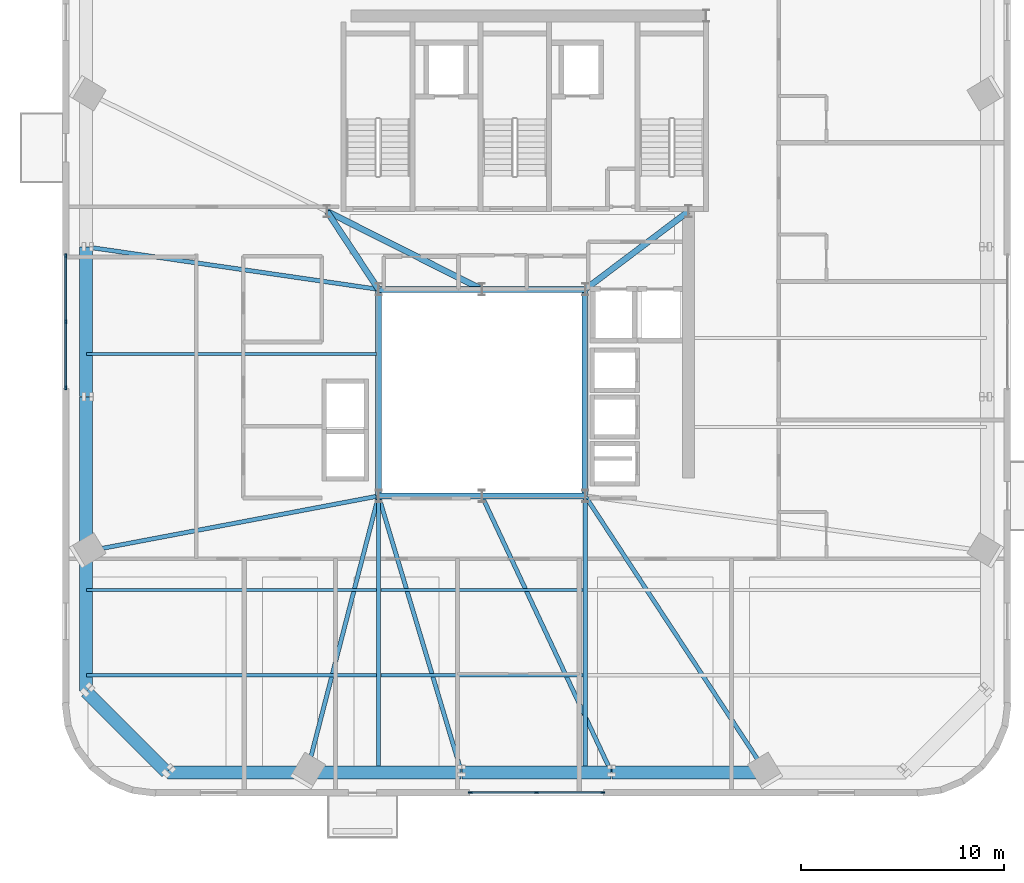
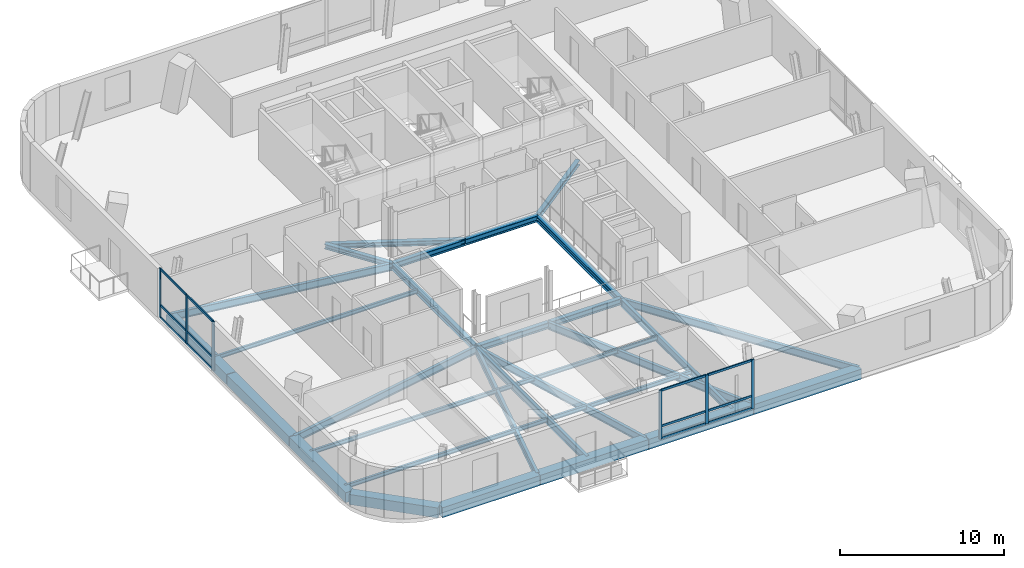
# One storey, part 3 of 12: 30 beams, 18 members, 2 elements without a shape of their own.
"""IFC4 building model written with IfcOpenShell, lengths in metres."""

from ifc_helpers import new_model, si_unit, direction, frame, origin, origin_2d, place, context, subcontext, project, spatial, rectangle, i_section, extrude, source, transform, mapped, material, material_profile, profile_set, type_object, element, aggregate, save


model = new_model("IFC4")

# Units and contexts
model_context = context("Model", 3, precision=1e-05, world=origin(), true_north=direction((0.0, 1.0)))
body_context = subcontext(model_context, "Body", "Model", "MODEL_VIEW")
ifc_project = project(units=[si_unit("LENGTHUNIT", "METRE"), si_unit("AREAUNIT", "SQUARE_METRE"), si_unit("VOLUMEUNIT", "CUBIC_METRE"), si_unit("PLANEANGLEUNIT", "RADIAN"), si_unit("MASSUNIT", "GRAM", prefix="KILO")], contexts=[model_context])

# Site, building, storey
site_placement = place(None, origin())
site = spatial("IfcSite", under=ifc_project, at=site_placement, CompositionType="ELEMENT")
building_placement = place(site_placement, origin())
building = spatial("IfcBuilding", under=site, at=building_placement, Name="Vardaveli Station Tower", CompositionType="ELEMENT")
storey_placement = place(building_placement, frame((0.0, 0.0, 254.550048828125)))
storey = spatial("IfcBuildingStorey", under=building, at=storey_placement, Name="L65", CompositionType="ELEMENT", Elevation=254.550048828125)

# Beams
ifc_material_1 = material(Name="Structural steel S355J2", Category="steel")
ifc_material_profile_1 = material_profile(ifc_material_1, i_section(OverallWidth=0.300048828125, OverallDepth=0.449951171875, WebThickness=0.013916015625, FlangeThickness=0.02587890625, FilletRadius=0.027099609375, at=origin_2d()), Name="HEB 450")
ifc_profile_set_1 = profile_set([ifc_material_profile_1], Name="Structural steel S355J2")
beam_type_1 = type_object("IfcBeamType", Name="BM-HEB450", PredefinedType="BEAM", material=ifc_profile_set_1)
shared_shape_1 = source(origin(), body_context, "Body", "SweptSolid", [
    extrude(i_section(OverallWidth=0.300048828125, OverallDepth=0.449951171875, WebThickness=0.013916015625, FlangeThickness=0.02587890625, FilletRadius=0.027099609375, at=origin_2d()), origin(), (0.0, 0.0, 1.0), 5.06005859375),
])
for number, where, z_axis, x_axis, name in (
    (1, (31.219970703125, 16.60009765625, -0.525146484375), (1.0, 0.0, 0.0), (0.0, 1.0, 0.0), "ABM-L65-01"),
    (2, (36.280029296875, 26.800048828125, -0.525146484375), (-1.0, 0.0, 0.0), (0.0, -1.0, 0.0), "ABM-L65-05"),
):
    element("IfcBeam", number, at=place(storey_placement, frame(where, z_axis=z_axis, x_axis=x_axis)), inside=storey, type_object=beam_type_1, Name=name, PredefinedType="BEAM", context=body_context, shape_type="MappedRepresentation", body=[
        mapped(shared_shape_1, transform((0.0, 0.0, 0.0), scale=1.0)),
    ])
shared_shape_2 = source(origin(), body_context, "Body", "SweptSolid", [
    extrude(i_section(OverallWidth=0.300048828125, OverallDepth=0.449951171875, WebThickness=0.013916015625, FlangeThickness=0.02587890625, FilletRadius=0.027099609375, at=origin_2d()), origin(), (0.0, 0.0, 1.0), 5.059814453125),
])
for number, where, z_axis, x_axis, name in (
    (3, (36.320068359375, 16.60009765625, -0.525146484375), (1.0, 0.0, 0.0), (0.0, 1.0, 0.0), "ABM-L65-02"),
    (4, (41.3798828125, 26.800048828125, -0.525146484375), (-1.0, 0.0, 0.0), (0.0, -1.0, 0.0), "ABM-L65-04"),
):
    element("IfcBeam", number, at=place(storey_placement, frame(where, z_axis=z_axis, x_axis=x_axis)), inside=storey, type_object=beam_type_1, Name=name, PredefinedType="BEAM", context=body_context, shape_type="MappedRepresentation", body=[
        mapped(shared_shape_2, transform((0.0, 0.0, 0.0), scale=1.0)),
    ])
shared_shape_3 = source(origin(), body_context, "Body", "SweptSolid", [
    extrude(i_section(OverallWidth=0.300048828125, OverallDepth=0.449951171875, WebThickness=0.013916015625, FlangeThickness=0.02587890625, FilletRadius=0.027099609375, at=origin_2d()), origin(), (0.0, 0.0, 1.0), 10.159912109375),
])
for number, where, z_axis, x_axis, name in (
    (5, (41.39990234375, 16.6201171875, -0.525146484375), (0.0, 1.0, 0.0), (-1.0, 0.0, 0.0), "ABM-L65-03"),
    (6, (31.199951171875, 26.780029296875, -0.525146484375), (0.0, -1.0, 0.0), (1.0, 0.0, 0.0), "ABM-L65-06"),
):
    element("IfcBeam", number, at=place(storey_placement, frame(where, z_axis=z_axis, x_axis=x_axis)), inside=storey, type_object=beam_type_1, Name=name, PredefinedType="BEAM", context=body_context, shape_type="MappedRepresentation", body=[
        mapped(shared_shape_3, transform((0.0, 0.0, 0.0), scale=1.0)),
    ])
ifc_material_profile_2 = material_profile(ifc_material_1, i_section(OverallWidth=0.300048828125, OverallDepth=0.360107421875, WebThickness=0.012451171875, FlangeThickness=0.0224609375, FilletRadius=0.027099609375, at=origin_2d()), Name="HEB 360")
ifc_profile_set_2 = profile_set([ifc_material_profile_2], Name="Structural steel S355J2")
beam_type_2 = type_object("IfcBeamType", Name="BM-HEB360", PredefinedType="BEAM", material=ifc_profile_set_2)
shared_shape_4 = source(origin(), body_context, "Body", "SweptSolid", [
    extrude(i_section(OverallWidth=0.300048828125, OverallDepth=0.360107421875, WebThickness=0.012451171875, FlangeThickness=0.0224609375, FilletRadius=0.027099609375, at=origin_2d()), origin(), (0.0, 0.0, 1.0), 4.577880859375),
])
beam_1_placement = place(storey_placement, frame((31.18896484375, 26.816650390625, -0.47998046875), z_axis=(-0.55218702139, 0.833720272879, 0.0), x_axis=(-0.833720272879, -0.55218702139, 0.0)))
element("IfcBeam", 7, at=beam_1_placement, inside=storey, type_object=beam_type_2, Name="CBM-L65-01", PredefinedType="BEAM", context=body_context, shape_type="MappedRepresentation", body=[
    mapped(shared_shape_4, transform((0.0, 0.0, 0.0), scale=1.0)),
])
shared_shape_5 = source(origin(), body_context, "Body", "SweptSolid", [
    extrude(i_section(OverallWidth=0.300048828125, OverallDepth=0.360107421875, WebThickness=0.012451171875, FlangeThickness=0.0224609375, FilletRadius=0.027099609375, at=origin_2d()), origin(), (0.0, 0.0, 1.0), 6.35009765625),
])
beam_2_placement = place(storey_placement, frame((41.416015625, 26.81201171875, -0.47998046875), z_axis=(0.798118337722, 0.602500721154, 0.0), x_axis=(-0.602500721154, 0.798118337722, 0.0)))
element("IfcBeam", 8, at=beam_2_placement, inside=storey, type_object=beam_type_2, Name="CBM-L65-02", PredefinedType="BEAM", context=body_context, shape_type="MappedRepresentation", body=[
    mapped(shared_shape_5, transform((0.0, 0.0, 0.0), scale=1.0)),
])
shared_shape_6 = source(origin(), body_context, "Body", "SweptSolid", [
    extrude(i_section(OverallWidth=0.300048828125, OverallDepth=0.360107421875, WebThickness=0.012451171875, FlangeThickness=0.0224609375, FilletRadius=0.027099609375, at=origin_2d()), origin(), (0.0, 0.0, 1.0), 8.524169921875),
])
beam_3_placement = place(storey_placement, frame((28.66796875, 30.64111328125, -0.47998046875), z_axis=(0.893255584708, -0.449549174605, 0.0), x_axis=(0.449549174605, 0.893255584708, 0.0)))
element("IfcBeam", 9, at=beam_3_placement, inside=storey, type_object=beam_type_2, Name="CBM-L65-03", PredefinedType="BEAM", context=body_context, shape_type="MappedRepresentation", body=[
    mapped(shared_shape_6, transform((0.0, 0.0, 0.0), scale=1.0)),
])
ifc_material_2 = material(Name="Precast concrete C45/55", Category="concrete")
ifc_material_profile_3 = material_profile(ifc_material_2, rectangle(XDim=0.64990234375, YDim=0.75, at=origin_2d()), Name="LPB 650x750")
ifc_profile_set_3 = profile_set([ifc_material_profile_3], Name="Precast concrete C45/55")
beam_type_3 = type_object("IfcBeamType", Name="BM-LPB-750", PredefinedType="BEAM", material=ifc_profile_set_3)
shared_shape_7 = source(origin(), body_context, "Body", "SweptSolid", [
    extrude(rectangle(XDim=0.64990234375, YDim=0.75, at=origin_2d()), origin(), (0.0, 0.0, 1.0), 7.60009765625),
])
for number, where, z_axis, x_axis, name in (
    (10, (27.679931640625, 2.949951171875, -0.675048828125), (1.0, 0.0, 0.0), (0.0, 1.0, 0.0), "RBM-L65-01"),
    (11, (42.719970703125, 2.949951171875, -0.675048828125), (1.0, 0.0, 0.0), (0.0, 1.0, 0.0), "RBM-L65-03"),
    (12, (16.75, 21.47998046875, -0.675048828125), (0.0, -1.0, 0.0), (1.0, 0.0, 0.0), "RBM-L65-21"),
):
    element("IfcBeam", number, at=place(storey_placement, frame(where, z_axis=z_axis, x_axis=x_axis)), inside=storey, type_object=beam_type_3, Name=name, PredefinedType="BEAM", context=body_context, shape_type="MappedRepresentation", body=[
        mapped(shared_shape_7, transform((0.0, 0.0, 0.0), scale=1.0)),
    ])
shared_shape_8 = source(origin(), body_context, "Body", "SweptSolid", [
    extrude(rectangle(XDim=0.64990234375, YDim=0.75, at=origin_2d()), origin(), (0.0, 0.0, 1.0), 7.35986328125),
])
for number, where, z_axis, x_axis, name in (
    (13, (35.320068359375, 2.949951171875, -0.675048828125), (1.0, 0.0, 0.0), (0.0, 1.0, 0.0), "RBM-L65-02"),
    (14, (16.75, 28.8798828125, -0.675048828125), (0.0, -1.0, 0.0), (1.0, 0.0, 0.0), "RBM-L65-20"),
):
    element("IfcBeam", number, at=place(storey_placement, frame(where, z_axis=z_axis, x_axis=x_axis)), inside=storey, type_object=beam_type_3, Name=name, PredefinedType="BEAM", context=body_context, shape_type="MappedRepresentation", body=[
        mapped(shared_shape_8, transform((0.0, 0.0, 0.0), scale=1.0)),
    ])
shared_shape_9 = source(origin(), body_context, "Body", "SweptSolid", [
    extrude(rectangle(XDim=0.64990234375, YDim=0.75, at=origin_2d()), origin(), (0.0, 0.0, 1.0), 6.869873046875),
])
beam_4_placement = place(storey_placement, frame((20.77001953125, 2.949951171875, -0.675048828125), z_axis=(1.0, 0.0, 0.0), x_axis=(0.0, 1.0, 0.0)))
element("IfcBeam", 15, at=beam_4_placement, inside=storey, type_object=beam_type_3, Name="RBM-L65-24", PredefinedType="BEAM", context=body_context, shape_type="MappedRepresentation", body=[
    mapped(shared_shape_9, transform((0.0, 0.0, 0.0), scale=1.0)),
])
shared_shape_10 = source(origin(), body_context, "Body", "SweptSolid", [
    extrude(rectangle(XDim=0.64990234375, YDim=0.75, at=origin_2d()), origin(), (0.0, 0.0, 1.0), 5.61669921875),
])
beam_5_placement = place(storey_placement, frame((16.76416015625, 6.935791015625, -0.675048828125), z_axis=(0.707106781187, -0.707106781187, 0.0), x_axis=(0.707106781187, 0.707106781187, 0.0)))
element("IfcBeam", 16, at=beam_5_placement, inside=storey, type_object=beam_type_3, Name="RBM-L65-23", PredefinedType="BEAM", context=body_context, shape_type="MappedRepresentation", body=[
    mapped(shared_shape_10, transform((0.0, 0.0, 0.0), scale=1.0)),
])
shared_shape_11 = source(origin(), body_context, "Body", "SweptSolid", [
    extrude(rectangle(XDim=0.64990234375, YDim=0.75, at=origin_2d()), origin(), (0.0, 0.0, 1.0), 6.8701171875),
])
beam_6_placement = place(storey_placement, frame((16.75, 13.840087890625, -0.675048828125), z_axis=(0.0, -1.0, 0.0), x_axis=(1.0, 0.0, 0.0)))
element("IfcBeam", 17, at=beam_6_placement, inside=storey, type_object=beam_type_3, Name="RBM-L65-22", PredefinedType="BEAM", context=body_context, shape_type="MappedRepresentation", body=[
    mapped(shared_shape_11, transform((0.0, 0.0, 0.0), scale=1.0)),
])
ifc_material_profile_4 = material_profile(ifc_material_1, i_section(OverallWidth=0.2099609375, OverallDepth=0.550048828125, WebThickness=0.010986328125, FlangeThickness=0.01708984375, FilletRadius=0.02392578125, at=origin_2d()), Name="IPE 550")
ifc_profile_set_4 = profile_set([ifc_material_profile_4], Name="Structural steel S355J2")
beam_type_4 = type_object("IfcBeamType", Name="BM-IPE550", PredefinedType="BEAM", material=ifc_profile_set_4)
shared_shape_12 = source(origin(), body_context, "Body", "SweptSolid", [
    extrude(i_section(OverallWidth=0.2099609375, OverallDepth=0.550048828125, WebThickness=0.010986328125, FlangeThickness=0.01708984375, FilletRadius=0.02392578125, at=origin_2d()), origin(), (0.0, 0.0, 1.0), 13.469970703125),
])
for number, where, z_axis, x_axis, name in (
    (18, (31.199951171875, 2.989990234375, -0.574951171875), (0.0, 1.0, 0.0), (-1.0, 0.0, 0.0), "NSM-L65-S1"),
    (19, (41.39990234375, 2.989990234375, -0.574951171875), (0.0, 1.0, 0.0), (-1.0, 0.0, 0.0), "NSM-L65-S2"),
):
    element("IfcBeam", number, at=place(storey_placement, frame(where, z_axis=z_axis, x_axis=x_axis)), inside=storey, type_object=beam_type_4, Name=name, PredefinedType="BEAM", context=body_context, shape_type="MappedRepresentation", body=[
        mapped(shared_shape_12, transform((0.0, 0.0, 0.0), scale=1.0)),
    ])
shared_shape_13 = source(origin(), body_context, "Body", "SweptSolid", [
    extrude(i_section(OverallWidth=0.2099609375, OverallDepth=0.550048828125, WebThickness=0.010986328125, FlangeThickness=0.01708984375, FilletRadius=0.02392578125, at=origin_2d()), origin(), (0.0, 0.0, 1.0), 14.0615234375),
])
beam_7_placement = place(storey_placement, frame((27.6650390625, 2.96923828125, -0.574951171875), z_axis=(0.251039886128, 0.967976743302, 0.0), x_axis=(-0.967976743302, 0.251039886128, 0.0)))
element("IfcBeam", 20, at=beam_7_placement, inside=storey, type_object=beam_type_4, Name="GBM-L65-01", PredefinedType="BEAM", context=body_context, shape_type="MappedRepresentation", body=[
    mapped(shared_shape_13, transform((0.0, 0.0, 0.0), scale=1.0)),
])
shared_shape_14 = source(origin(), body_context, "Body", "SweptSolid", [
    extrude(i_section(OverallWidth=0.2099609375, OverallDepth=0.550048828125, WebThickness=0.010986328125, FlangeThickness=0.01708984375, FilletRadius=0.02392578125, at=origin_2d()), origin(), (0.0, 0.0, 1.0), 14.21240234375),
])
beam_8_placement = place(storey_placement, frame((35.294189453125, 2.96923828125, -0.574951171875), z_axis=(-0.287664640516, 0.957731201641, 0.0), x_axis=(-0.957731201641, -0.287664640516, 0.0)))
element("IfcBeam", 21, at=beam_8_placement, inside=storey, type_object=beam_type_4, Name="GBM-L65-02", PredefinedType="BEAM", context=body_context, shape_type="MappedRepresentation", body=[
    mapped(shared_shape_14, transform((0.0, 0.0, 0.0), scale=1.0)),
])
shared_shape_15 = source(origin(), body_context, "Body", "SweptSolid", [
    extrude(i_section(OverallWidth=0.2099609375, OverallDepth=0.550048828125, WebThickness=0.010986328125, FlangeThickness=0.01708984375, FilletRadius=0.02392578125, at=origin_2d()), origin(), (0.0, 0.0, 1.0), 15.035888671875),
])
beam_9_placement = place(storey_placement, frame((42.69140625, 2.968017578125, -0.574951171875), z_axis=(-0.424507924171, 0.905424222293, 0.0), x_axis=(-0.905424222293, -0.424507924171, 0.0)))
element("IfcBeam", 22, at=beam_9_placement, inside=storey, type_object=beam_type_4, Name="GBM-L65-03", PredefinedType="BEAM", context=body_context, shape_type="MappedRepresentation", body=[
    mapped(shared_shape_15, transform((0.0, 0.0, 0.0), scale=1.0)),
])
shared_shape_16 = source(origin(), body_context, "Body", "SweptSolid", [
    extrude(i_section(OverallWidth=0.2099609375, OverallDepth=0.550048828125, WebThickness=0.010986328125, FlangeThickness=0.01708984375, FilletRadius=0.02392578125, at=origin_2d()), origin(), (0.0, 0.0, 1.0), 16.277099609375),
])
beam_10_placement = place(storey_placement, frame((50.3291015625, 2.966796875, -0.574951171875), z_axis=(-0.547901042625, 0.836543153394, 0.0), x_axis=(-0.836543153394, -0.547901042625, 0.0)))
element("IfcBeam", 23, at=beam_10_placement, inside=storey, type_object=beam_type_4, Name="GBM-L65-04", PredefinedType="BEAM", context=body_context, shape_type="MappedRepresentation", body=[
    mapped(shared_shape_16, transform((0.0, 0.0, 0.0), scale=1.0)),
])
shared_shape_17 = source(origin(), body_context, "Body", "SweptSolid", [
    extrude(i_section(OverallWidth=0.2099609375, OverallDepth=0.550048828125, WebThickness=0.010986328125, FlangeThickness=0.01708984375, FilletRadius=0.02392578125, at=origin_2d()), origin(), (0.0, 0.0, 1.0), 14.561767578125),
])
beam_11_placement = place(storey_placement, frame((16.769775390625, 28.897216796875, -0.574951171875), z_axis=(0.989604234236, -0.143817452288, 0.0), x_axis=(0.143817452288, 0.989604234236, 0.0)))
element("IfcBeam", 24, at=beam_11_placement, inside=storey, type_object=beam_type_4, Name="GBM-L65-08", PredefinedType="BEAM", context=body_context, shape_type="MappedRepresentation", body=[
    mapped(shared_shape_17, transform((0.0, 0.0, 0.0), scale=1.0)),
])
shared_shape_18 = source(origin(), body_context, "Body", "SweptSolid", [
    extrude(i_section(OverallWidth=0.2099609375, OverallDepth=0.550048828125, WebThickness=0.010986328125, FlangeThickness=0.01708984375, FilletRadius=0.02392578125, at=origin_2d()), origin(), (0.0, 0.0, 1.0), 14.667724609375),
])
beam_12_placement = place(storey_placement, frame((16.76953125, 13.86376953125, -0.574951171875), z_axis=(0.982494981835, 0.186289051395, 0.0), x_axis=(-0.186289051395, 0.982494981835, 0.0)))
element("IfcBeam", 25, at=beam_12_placement, inside=storey, type_object=beam_type_4, Name="GBM-L65-10", PredefinedType="BEAM", context=body_context, shape_type="MappedRepresentation", body=[
    mapped(shared_shape_18, transform((0.0, 0.0, 0.0), scale=1.0)),
])
ifc_material_profile_5 = material_profile(ifc_material_1, i_section(OverallWidth=0.14990234375, OverallDepth=0.300048828125, WebThickness=0.007080078125, FlangeThickness=0.0107421875, FilletRadius=0.014892578125, at=origin_2d()), Name="IPE 300")
ifc_profile_set_5 = profile_set([ifc_material_profile_5], Name="Structural steel S355J2")
beam_type_5 = type_object("IfcBeamType", Name="BM-IPE300", PredefinedType="JOIST", material=ifc_profile_set_5)
shared_shape_19 = source(origin(), body_context, "Body", "SweptSolid", [
    extrude(i_section(OverallWidth=0.14990234375, OverallDepth=0.300048828125, WebThickness=0.007080078125, FlangeThickness=0.0107421875, FilletRadius=0.014892578125, at=origin_2d()), origin(), (0.0, 0.0, 1.0), 14.2978515625),
])
for number, where, z_axis, x_axis, name in (
    (26, (16.7900390625, 7.75, -0.449951171875), (1.0, 0.0, 0.0), (0.0, 1.0, 0.0), "SJ-L65-S01"),
    (27, (16.7900390625, 11.949951171875, -0.449951171875), (1.0, 0.0, 0.0), (0.0, 1.0, 0.0), "SJ-L65-S04"),
    (28, (16.7900390625, 23.60009765625, -0.449951171875), (1.0, 0.0, 0.0), (0.0, 1.0, 0.0), "SJ-L65-W08"),
):
    element("IfcBeam", number, at=place(storey_placement, frame(where, z_axis=z_axis, x_axis=x_axis)), inside=storey, type_object=beam_type_5, Name=name, PredefinedType="JOIST", context=body_context, shape_type="MappedRepresentation", body=[
        mapped(shared_shape_19, transform((0.0, 0.0, 0.0), scale=1.0)),
    ])
shared_shape_20 = source(origin(), body_context, "Body", "SweptSolid", [
    extrude(i_section(OverallWidth=0.14990234375, OverallDepth=0.300048828125, WebThickness=0.007080078125, FlangeThickness=0.0107421875, FilletRadius=0.014892578125, at=origin_2d()), origin(), (0.0, 0.0, 1.0), 9.97607421875),
])
for number, where, z_axis, x_axis, name in (
    (29, (31.31201171875, 7.75, -0.449951171875), (1.0, 0.0, 0.0), (0.0, 1.0, 0.0), "SJ-L65-S02"),
    (30, (31.31201171875, 11.949951171875, -0.449951171875), (1.0, 0.0, 0.0), (0.0, 1.0, 0.0), "SJ-L65-S05"),
):
    element("IfcBeam", number, at=place(storey_placement, frame(where, z_axis=z_axis, x_axis=x_axis)), inside=storey, type_object=beam_type_5, Name=name, PredefinedType="JOIST", context=body_context, shape_type="MappedRepresentation", body=[
        mapped(shared_shape_20, transform((0.0, 0.0, 0.0), scale=1.0)),
    ])

# Curtain wall, members
ifc_material_3 = material(Name="Travertine stone and solar-control glass", Category="masonry")
curtain_wall_type = type_object("IfcCurtainWallType", Name="CW-SYS-5", PredefinedType="NOTDEFINED", material=ifc_material_3)
curtain_wall_1_placement = place(storey_placement, origin())
curtain_wall_1 = element("IfcCurtainWall", 31, at=curtain_wall_1_placement, inside=storey, type_object=curtain_wall_type, Name="CW-L65-S", PredefinedType="NOTDEFINED")
ifc_material_4 = material(Name="Anodised aluminium alloy 6063-T6", Category="aluminium")
ifc_material_profile_6 = material_profile(ifc_material_4, rectangle(XDim=0.080078125, YDim=0.1650390625, at=origin_2d()), Name="CWT 80x165")
ifc_profile_set_6 = profile_set([ifc_material_profile_6], Name="Anodised aluminium alloy 6063-T6")
member_type_1 = type_object("IfcMemberType", Name="CW-SYS-5-TRAN", PredefinedType="NOTDEFINED", material=ifc_profile_set_6)
shared_shape_21 = source(origin(), body_context, "Body", "SweptSolid", [
    extrude(rectangle(XDim=0.080078125, YDim=0.1650390625, at=origin_2d()), origin(), (0.0, 0.0, 1.0), 3.179931640625),
])
member_1_placement = place(storey_placement, frame((35.780029296875, 1.9599609375, 0.0400390625), z_axis=(1.0, 0.0, 0.0), x_axis=(0.0, 1.0, 0.0)))
member_1 = element("IfcMember", 32, at=member_1_placement, type_object=member_type_1, Name="CW-5 transom 1.1", ObjectType="TRANSOM", PredefinedType="USERDEFINED", context=body_context, shape_type="MappedRepresentation", body=[
    mapped(shared_shape_21, transform((0.0, 0.0, 0.0), scale=1.0)),
])
member_2_placement = place(storey_placement, frame((35.780029296875, 1.9599609375, 0.949951171875), z_axis=(1.0, 0.0, 0.0), x_axis=(0.0, 1.0, 0.0)))
member_2 = element("IfcMember", 33, at=member_2_placement, type_object=member_type_1, Name="CW-5 transom 1.2", ObjectType="TRANSOM", PredefinedType="USERDEFINED", context=body_context, shape_type="MappedRepresentation", body=[
    mapped(shared_shape_21, transform((0.0, 0.0, 0.0), scale=1.0)),
])
member_3_placement = place(storey_placement, frame((35.780029296875, 1.9599609375, 3.60986328125), z_axis=(1.0, 0.0, 0.0), x_axis=(0.0, 1.0, 0.0)))
member_3 = element("IfcMember", 34, at=member_3_placement, type_object=member_type_1, Name="CW-5 transom 1.3", ObjectType="TRANSOM", PredefinedType="USERDEFINED", context=body_context, shape_type="MappedRepresentation", body=[
    mapped(shared_shape_21, transform((0.0, 0.0, 0.0), scale=1.0)),
])
member_4_placement = place(storey_placement, frame((39.0400390625, 1.9599609375, 0.0400390625), z_axis=(1.0, 0.0, 0.0), x_axis=(0.0, 1.0, 0.0)))
member_4 = element("IfcMember", 35, at=member_4_placement, type_object=member_type_1, Name="CW-5 transom 2.1", ObjectType="TRANSOM", PredefinedType="USERDEFINED", context=body_context, shape_type="MappedRepresentation", body=[
    mapped(shared_shape_21, transform((0.0, 0.0, 0.0), scale=1.0)),
])
member_5_placement = place(storey_placement, frame((39.0400390625, 1.9599609375, 0.949951171875), z_axis=(1.0, 0.0, 0.0), x_axis=(0.0, 1.0, 0.0)))
member_5 = element("IfcMember", 36, at=member_5_placement, type_object=member_type_1, Name="CW-5 transom 2.2", ObjectType="TRANSOM", PredefinedType="USERDEFINED", context=body_context, shape_type="MappedRepresentation", body=[
    mapped(shared_shape_21, transform((0.0, 0.0, 0.0), scale=1.0)),
])
member_6_placement = place(storey_placement, frame((39.0400390625, 1.9599609375, 3.60986328125), z_axis=(1.0, 0.0, 0.0), x_axis=(0.0, 1.0, 0.0)))
member_6 = element("IfcMember", 37, at=member_6_placement, type_object=member_type_1, Name="CW-5 transom 2.3", ObjectType="TRANSOM", PredefinedType="USERDEFINED", context=body_context, shape_type="MappedRepresentation", body=[
    mapped(shared_shape_21, transform((0.0, 0.0, 0.0), scale=1.0)),
])

curtain_wall_2_placement = place(storey_placement, origin())
curtain_wall_2 = element("IfcCurtainWall", 38, at=curtain_wall_2_placement, inside=storey, type_object=curtain_wall_type, Name="CW-L65-W", PredefinedType="NOTDEFINED")
member_7_placement = place(storey_placement, frame((15.760009765625, 28.419921875, 0.0400390625), z_axis=(0.0, -1.0, 0.0), x_axis=(1.0, 0.0, 0.0)))
member_7 = element("IfcMember", 39, at=member_7_placement, type_object=member_type_1, Name="CW-5 transom 1.1", ObjectType="TRANSOM", PredefinedType="USERDEFINED", context=body_context, shape_type="MappedRepresentation", body=[
    mapped(shared_shape_21, transform((0.0, 0.0, 0.0), scale=1.0)),
])
member_8_placement = place(storey_placement, frame((15.760009765625, 28.419921875, 0.949951171875), z_axis=(0.0, -1.0, 0.0), x_axis=(1.0, 0.0, 0.0)))
member_8 = element("IfcMember", 40, at=member_8_placement, type_object=member_type_1, Name="CW-5 transom 1.2", ObjectType="TRANSOM", PredefinedType="USERDEFINED", context=body_context, shape_type="MappedRepresentation", body=[
    mapped(shared_shape_21, transform((0.0, 0.0, 0.0), scale=1.0)),
])
member_9_placement = place(storey_placement, frame((15.760009765625, 28.419921875, 3.60986328125), z_axis=(0.0, -1.0, 0.0), x_axis=(1.0, 0.0, 0.0)))
member_9 = element("IfcMember", 41, at=member_9_placement, type_object=member_type_1, Name="CW-5 transom 1.3", ObjectType="TRANSOM", PredefinedType="USERDEFINED", context=body_context, shape_type="MappedRepresentation", body=[
    mapped(shared_shape_21, transform((0.0, 0.0, 0.0), scale=1.0)),
])
member_10_placement = place(storey_placement, frame((15.760009765625, 25.159912109375, 0.0400390625), z_axis=(0.0, -1.0, 0.0), x_axis=(1.0, 0.0, 0.0)))
member_10 = element("IfcMember", 42, at=member_10_placement, type_object=member_type_1, Name="CW-5 transom 2.1", ObjectType="TRANSOM", PredefinedType="USERDEFINED", context=body_context, shape_type="MappedRepresentation", body=[
    mapped(shared_shape_21, transform((0.0, 0.0, 0.0), scale=1.0)),
])
member_11_placement = place(storey_placement, frame((15.760009765625, 25.159912109375, 0.949951171875), z_axis=(0.0, -1.0, 0.0), x_axis=(1.0, 0.0, 0.0)))
member_11 = element("IfcMember", 43, at=member_11_placement, type_object=member_type_1, Name="CW-5 transom 2.2", ObjectType="TRANSOM", PredefinedType="USERDEFINED", context=body_context, shape_type="MappedRepresentation", body=[
    mapped(shared_shape_21, transform((0.0, 0.0, 0.0), scale=1.0)),
])
member_12_placement = place(storey_placement, frame((15.760009765625, 25.159912109375, 3.60986328125), z_axis=(0.0, -1.0, 0.0), x_axis=(1.0, 0.0, 0.0)))
member_12 = element("IfcMember", 44, at=member_12_placement, type_object=member_type_1, Name="CW-5 transom 2.3", ObjectType="TRANSOM", PredefinedType="USERDEFINED", context=body_context, shape_type="MappedRepresentation", body=[
    mapped(shared_shape_21, transform((0.0, 0.0, 0.0), scale=1.0)),
])

# Member
ifc_material_profile_7 = material_profile(ifc_material_4, rectangle(XDim=0.080078125, YDim=0.205078125, at=origin_2d()), Name="CWM 80x205")
ifc_profile_set_7 = profile_set([ifc_material_profile_7], Name="Anodised aluminium alloy 6063-T6")
member_type_2 = type_object("IfcMemberType", Name="CW-SYS-5-MULL", PredefinedType="MULLION", material=ifc_profile_set_7)
shared_shape_22 = source(origin(), body_context, "Body", "SweptSolid", [
    extrude(rectangle(XDim=0.080078125, YDim=0.205078125, at=origin_2d()), origin(), (0.0, 0.0, 1.0), 3.64990234375),
])
member_13_placement = place(storey_placement, frame((35.739990234375, 1.9599609375, 0.0), z_axis=(0.0, 0.0, 1.0), x_axis=(0.0, 1.0, 0.0)))
member_13 = element("IfcMember", 45, at=member_13_placement, type_object=member_type_2, Name="CW-5 mullion 1", PredefinedType="MULLION", context=body_context, shape_type="MappedRepresentation", body=[
    mapped(shared_shape_22, transform((0.0, 0.0, 0.0), scale=1.0)),
])

member_14_placement = place(storey_placement, frame((39.0, 1.9599609375, 0.0), z_axis=(0.0, 0.0, 1.0), x_axis=(0.0, 1.0, 0.0)))
member_14 = element("IfcMember", 46, at=member_14_placement, type_object=member_type_2, Name="CW-5 mullion 2", PredefinedType="MULLION", context=body_context, shape_type="MappedRepresentation", body=[
    mapped(shared_shape_22, transform((0.0, 0.0, 0.0), scale=1.0)),
])

member_15_placement = place(storey_placement, frame((42.260009765625, 1.9599609375, 0.0), z_axis=(0.0, 0.0, 1.0), x_axis=(0.0, 1.0, 0.0)))
member_15 = element("IfcMember", 47, at=member_15_placement, type_object=member_type_2, Name="CW-5 mullion 3", PredefinedType="MULLION", context=body_context, shape_type="MappedRepresentation", body=[
    mapped(shared_shape_22, transform((0.0, 0.0, 0.0), scale=1.0)),
])

aggregate(curtain_wall_1, [member_13, member_14, member_15, member_1, member_2, member_3, member_4, member_5, member_6])

member_16_placement = place(storey_placement, frame((15.760009765625, 28.4599609375, 0.0), z_axis=(0.0, 0.0, 1.0), x_axis=(1.0, 0.0, 0.0)))
member_16 = element("IfcMember", 48, at=member_16_placement, type_object=member_type_2, Name="CW-5 mullion 1", PredefinedType="MULLION", context=body_context, shape_type="MappedRepresentation", body=[
    mapped(shared_shape_22, transform((0.0, 0.0, 0.0), scale=1.0)),
])

member_17_placement = place(storey_placement, frame((15.760009765625, 25.199951171875, 0.0), z_axis=(0.0, 0.0, 1.0), x_axis=(1.0, 0.0, 0.0)))
member_17 = element("IfcMember", 49, at=member_17_placement, type_object=member_type_2, Name="CW-5 mullion 2", PredefinedType="MULLION", context=body_context, shape_type="MappedRepresentation", body=[
    mapped(shared_shape_22, transform((0.0, 0.0, 0.0), scale=1.0)),
])

member_18_placement = place(storey_placement, frame((15.760009765625, 21.93994140625, 0.0), z_axis=(0.0, 0.0, 1.0), x_axis=(1.0, 0.0, 0.0)))
member_18 = element("IfcMember", 50, at=member_18_placement, type_object=member_type_2, Name="CW-5 mullion 3", PredefinedType="MULLION", context=body_context, shape_type="MappedRepresentation", body=[
    mapped(shared_shape_22, transform((0.0, 0.0, 0.0), scale=1.0)),
])

aggregate(curtain_wall_2, [member_16, member_17, member_18, member_7, member_8, member_9, member_10, member_11, member_12])

save(model, "model.ifc")
